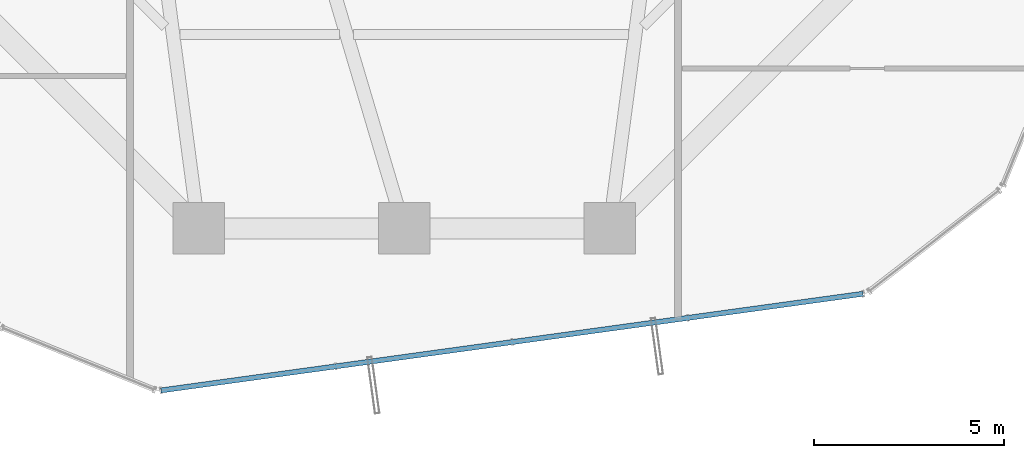
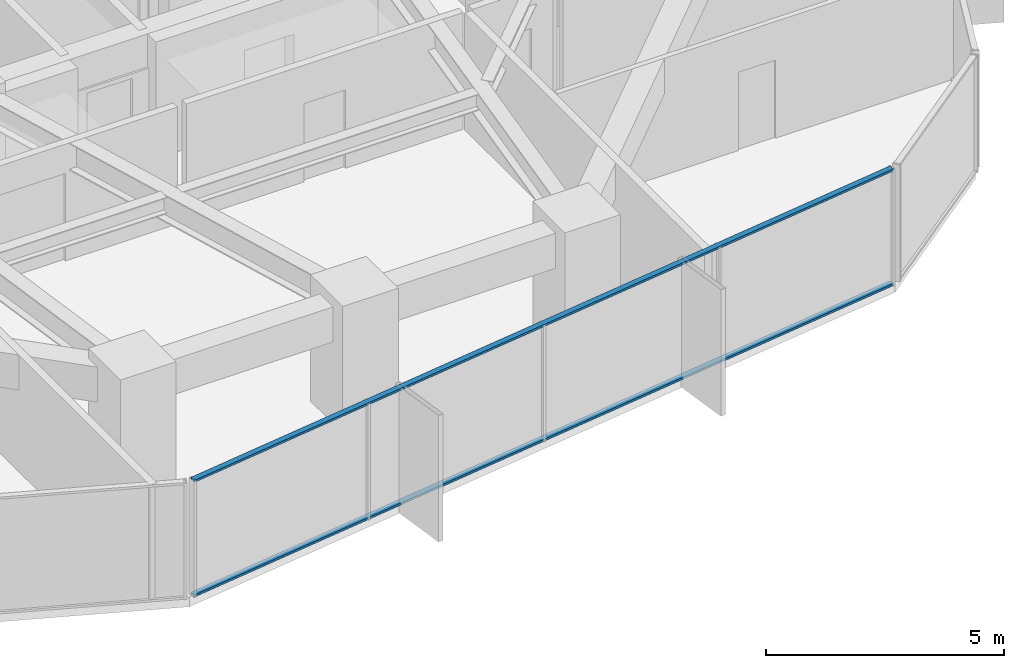
# One storey, part 7 of 37: 2 members, 1 element without a shape of its own.
"""IFC4 building model written with IfcOpenShell, lengths in metres."""

from ifc_helpers import new_model, si_unit, direction, frame, origin, origin_2d, place, context, subcontext, project, spatial, hollow_rectangle, extrude, source, transform, mapped, material, layer, layer_set, material_profile, profile_set, type_object, element, aggregate, save


model = new_model("IFC4")

# Units and contexts
model_context = context("Model", 3, precision=1e-05, world=origin(), true_north=direction((0.0, 1.0)))
body_context = subcontext(model_context, "Body", "Model", "MODEL_VIEW")
ifc_project = project(units=[si_unit("LENGTHUNIT", "METRE"), si_unit("AREAUNIT", "SQUARE_METRE"), si_unit("VOLUMEUNIT", "CUBIC_METRE"), si_unit("PLANEANGLEUNIT", "RADIAN"), si_unit("MASSUNIT", "GRAM", prefix="KILO")], contexts=[model_context])

# Site, building, storey
site_placement = place(None, origin())
site = spatial("IfcSite", under=ifc_project, at=site_placement, CompositionType="ELEMENT")
building_placement = place(site_placement, origin())
building = spatial("IfcBuilding", under=site, at=building_placement, Name="Veraguas Prism Commons", CompositionType="ELEMENT")
storey_placement = place(building_placement, frame((0.0, 0.0, 50.050048828125)))
storey = spatial("IfcBuildingStorey", under=building, at=storey_placement, Name="L13", CompositionType="ELEMENT", Elevation=50.050048828125)

# Curtain wall, members
ifc_material = material(Name="Anodised aluminium EN AW-6063 T6", Category="aluminium")
ifc_layer = layer(ifc_material, 0.169921875, Name="Unitised Flush Curtain Wall Zone 1", Category="aluminium")
ifc_layer_set = layer_set([ifc_layer], Name="Anodised aluminium EN AW-6063 T6")
curtain_wall_type = type_object("IfcCurtainWallType", Name="Unitised Flush Curtain Wall Zone 1", PredefinedType="NOTDEFINED", material=ifc_layer_set)
curtain_wall_placement = place(storey_placement, origin())
curtain_wall = element("IfcCurtainWall", 1, at=curtain_wall_placement, inside=storey, type_object=curtain_wall_type, Name="Tower Facade Curtain Wall L13-F5", PredefinedType="NOTDEFINED")
ifc_material_profile = material_profile(ifc_material, hollow_rectangle(XDim=0.054931640625, YDim=0.135009765625, WallThickness=0.0029296875, at=origin_2d()), Name="AL55X135X3")
ifc_profile_set = profile_set([ifc_material_profile], Name="Anodised aluminium EN AW-6063 T6")
member_type = type_object("IfcMemberType", Name="Curtain Wall Transom Standard AL 55x135x3", PredefinedType="USERDEFINED", material=ifc_profile_set)
shared_shape = source(origin(), body_context, "Body", "SweptSolid", [
    extrude(hollow_rectangle(XDim=0.054931640625, YDim=0.135009765625, WallThickness=0.0029296875, at=origin_2d()), origin(), (0.0, 0.0, 1.0), 18.6240234375),
])
member_1_placement = place(storey_placement, frame((17.610107421875, 2.139404296875, 0.02734375), z_axis=(0.990652307782, 0.136411161885, 0.0), x_axis=(0.0, 0.0, 1.0)))
member_1 = element("IfcMember", 2, at=member_1_placement, type_object=member_type, Name="CW-Z1 Transom 1", ObjectType="TRANSOM", PredefinedType="USERDEFINED", context=body_context, shape_type="MappedRepresentation", body=[
    mapped(shared_shape, transform((0.0, 0.0, 0.0), scale=1.0)),
])
member_2_placement = place(storey_placement, frame((17.610107421875, 2.139404296875, 2.972412109375), z_axis=(0.990652307782, 0.136411161885, 0.0), x_axis=(0.0, 0.0, 1.0)))
member_2 = element("IfcMember", 3, at=member_2_placement, type_object=member_type, Name="CW-Z1 Transom 2", ObjectType="TRANSOM", PredefinedType="USERDEFINED", context=body_context, shape_type="MappedRepresentation", body=[
    mapped(shared_shape, transform((0.0, 0.0, 0.0), scale=1.0)),
])
aggregate(curtain_wall, [member_1, member_2])

save(model, "model.ifc")
